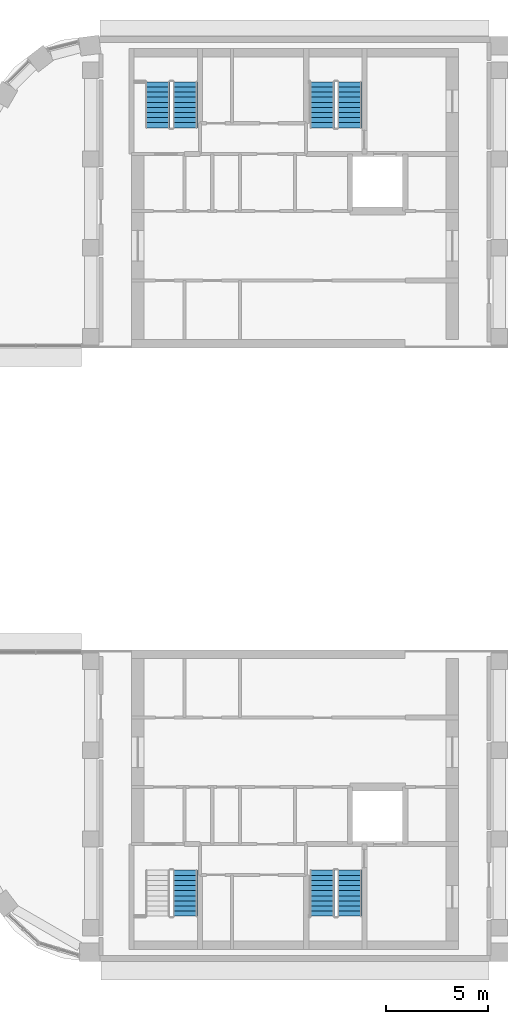
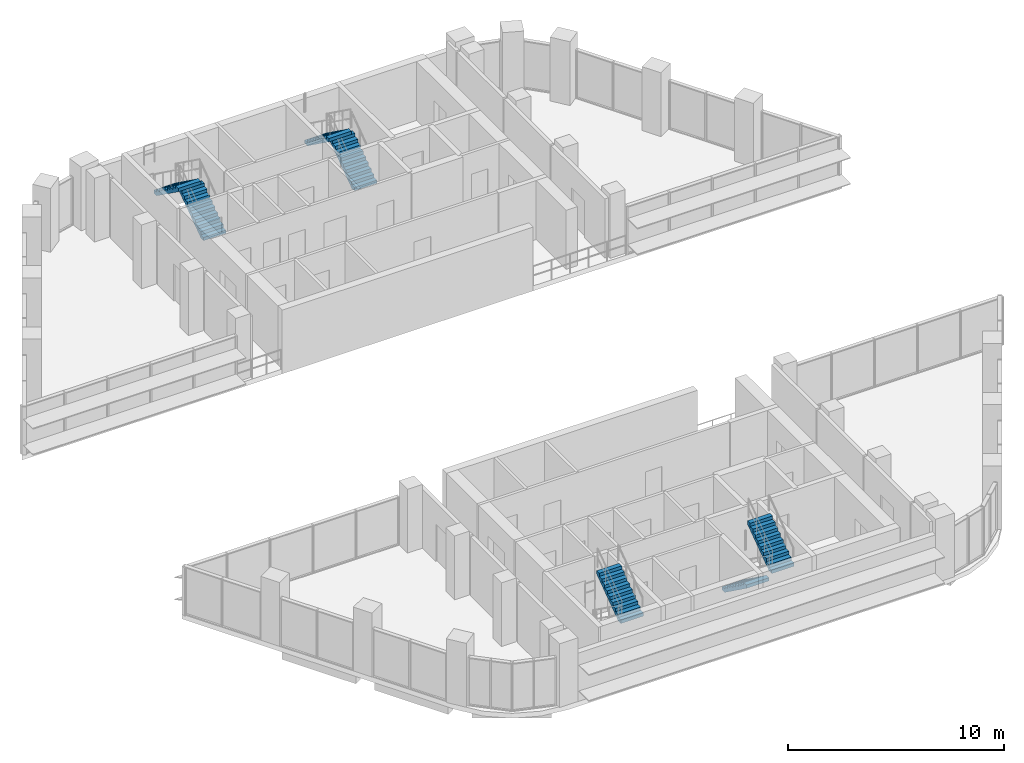
# One storey, part 12 of 15: 7 stair flights, 4 elements without a shape of their own.
"""IFC4 building model written with IfcOpenShell, lengths in metres."""

from ifc_helpers import new_model, si_unit, direction, frame, origin, place, context, subcontext, project, spatial, polyline, outline, extrude, material, type_object, element, aggregate, save


model = new_model("IFC4")

# Units and contexts
model_context = context("Model", 3, precision=1e-05, world=origin(), true_north=direction((0.0, 1.0)))
body_context = subcontext(model_context, "Body", "Model", "MODEL_VIEW")
ifc_project = project(units=[si_unit("LENGTHUNIT", "METRE"), si_unit("AREAUNIT", "SQUARE_METRE"), si_unit("VOLUMEUNIT", "CUBIC_METRE"), si_unit("PLANEANGLEUNIT", "RADIAN"), si_unit("MASSUNIT", "GRAM", prefix="KILO")], contexts=[model_context])

# Site, building, storey
site_placement = place(None, origin())
site = spatial("IfcSite", under=ifc_project, at=site_placement, CompositionType="ELEMENT")
building_placement = place(site_placement, origin())
building = spatial("IfcBuilding", under=site, at=building_placement, Name="Nakaniwa Court", CompositionType="ELEMENT")
storey_placement = place(building_placement, frame((0.0, 0.0, 283.199951171875)))
storey = spatial("IfcBuildingStorey", under=building, at=storey_placement, Name="C04", CompositionType="ELEMENT", Elevation=283.199951171875)

# Stair, stair flights
ifc_material = material(Name="Concrete C80/100", Category="concrete")
stair_type = type_object("IfcStairType", Name="Dog leg stair 1200 wide 20 risers", PredefinedType="HALF_TURN_STAIR", material=ifc_material)
stair_1_placement = place(storey_placement, origin())
stair_1 = element("IfcStair", 1, at=stair_1_placement, inside=storey, type_object=stair_type, Name="C04 Stair ST1", PredefinedType="HALF_TURN_STAIR")
stair_flight_type = type_object("IfcStairFlightType", Name="Stair flight 1200 wide 10 risers", PredefinedType="STRAIGHT", material=ifc_material)
stair_flight_1_placement = place(storey_placement, frame((74.625, 98.175048828125, 0.0), z_axis=(0.0, 0.0, 1.0), x_axis=(0.0, 1.0, 0.0)))
stair_flight_1 = element("IfcStairFlight", 2, at=stair_flight_1_placement, type_object=stair_flight_type, Name="ST1 flight 1", NumberOfRisers=10, NumberOfTreads=9, PredefinedType="STRAIGHT", RiserHeight=0.18, TreadLength=0.25, context=body_context, shape_type="SweptSolid", body=[
    extrude(outline(polyline([(0.0, 0.0), (0.0, 0.025634765625), (0.0, 0.051513671875), (0.0, 0.0771484375), (0.0, 0.102783203125), (0.0, 0.128662109375), (0.0, 0.154296875), (0.0, 0.179931640625), (0.25, 0.179931640625), (0.25, 0.360107421875), (0.5, 0.360107421875), (0.5, 0.5400390625), (0.75, 0.5400390625), (0.75, 0.719970703125), (1.0, 0.719970703125), (1.0, 0.89990234375), (1.25, 0.89990234375), (1.25, 1.080078125), (1.5, 1.080078125), (1.5, 1.260009765625), (1.75, 1.260009765625), (1.75, 1.43994140625), (2.0, 1.43994140625), (2.0, 1.6201171875), (2.25, 1.6201171875), (2.25, 1.800048828125), (2.25, 1.747802734375), (2.25, 1.69580078125), (2.25, 1.643798828125), (2.25, 1.591552734375), (2.25, 1.53955078125), (2.25, 1.4873046875), (2.25, 1.435302734375), (0.256591796875, 0.0), (0.0, 0.0)])), frame((0.0, 0.60009765625, 0.0), z_axis=(0.0, -1.0, 0.0), x_axis=(1.0, 0.0, 0.0)), (0.0, 0.0, 1.0), 1.199951171875),
])
stair_flight_2_placement = place(storey_placement, frame((73.27490234375, 100.425048828125, 1.800048828125), z_axis=(0.0, 0.0, 1.0), x_axis=(0.0, -1.0, 0.0)))
stair_flight_2 = element("IfcStairFlight", 3, at=stair_flight_2_placement, type_object=stair_flight_type, Name="ST1 flight 2", NumberOfRisers=10, NumberOfTreads=9, PredefinedType="STRAIGHT", RiserHeight=0.18, TreadLength=0.25, context=body_context, shape_type="SweptSolid", body=[
    extrude(outline(polyline([(0.0, 0.0), (0.0, 0.025634765625), (0.0, 0.051513671875), (0.0, 0.0771484375), (0.0, 0.102783203125), (0.0, 0.128662109375), (0.0, 0.154296875), (0.0, 0.179931640625), (0.25, 0.179931640625), (0.25, 0.360107421875), (0.5, 0.360107421875), (0.5, 0.5400390625), (0.75, 0.5400390625), (0.75, 0.719970703125), (1.0, 0.719970703125), (1.0, 0.89990234375), (1.25, 0.89990234375), (1.25, 1.080078125), (1.5, 1.080078125), (1.5, 1.260009765625), (1.75, 1.260009765625), (1.75, 1.43994140625), (2.0, 1.43994140625), (2.0, 1.6201171875), (2.25, 1.6201171875), (2.25, 1.800048828125), (2.25, 1.747802734375), (2.25, 1.69580078125), (2.25, 1.643798828125), (2.25, 1.591552734375), (2.25, 1.53955078125), (2.25, 1.4873046875), (2.25, 1.435302734375), (0.256591796875, 0.0), (0.0, 0.0)])), frame((0.0, 0.60009765625, 0.0), z_axis=(0.0, -1.0, 0.0), x_axis=(1.0, 0.0, 0.0)), (0.0, 0.0, 1.0), 1.199951171875),
])
aggregate(stair_1, [stair_flight_1, stair_flight_2])

stair_2_placement = place(storey_placement, origin())
stair_2 = element("IfcStair", 4, at=stair_2_placement, inside=storey, type_object=stair_type, Name="C04 Stair ST2", PredefinedType="HALF_TURN_STAIR")
stair_flight_3_placement = place(storey_placement, frame((82.675048828125, 98.175048828125, 0.0), z_axis=(0.0, 0.0, 1.0), x_axis=(0.0, 1.0, 0.0)))
stair_flight_3 = element("IfcStairFlight", 5, at=stair_flight_3_placement, type_object=stair_flight_type, Name="ST2 flight 1", NumberOfRisers=10, NumberOfTreads=9, PredefinedType="STRAIGHT", RiserHeight=0.18, TreadLength=0.25, context=body_context, shape_type="SweptSolid", body=[
    extrude(outline(polyline([(0.0, 0.0), (0.0, 0.025634765625), (0.0, 0.051513671875), (0.0, 0.0771484375), (0.0, 0.102783203125), (0.0, 0.128662109375), (0.0, 0.154296875), (0.0, 0.179931640625), (0.25, 0.179931640625), (0.25, 0.360107421875), (0.5, 0.360107421875), (0.5, 0.5400390625), (0.75, 0.5400390625), (0.75, 0.719970703125), (1.0, 0.719970703125), (1.0, 0.89990234375), (1.25, 0.89990234375), (1.25, 1.080078125), (1.5, 1.080078125), (1.5, 1.260009765625), (1.75, 1.260009765625), (1.75, 1.43994140625), (2.0, 1.43994140625), (2.0, 1.6201171875), (2.25, 1.6201171875), (2.25, 1.800048828125), (2.25, 1.747802734375), (2.25, 1.69580078125), (2.25, 1.643798828125), (2.25, 1.591552734375), (2.25, 1.53955078125), (2.25, 1.4873046875), (2.25, 1.435302734375), (0.256591796875, 0.0), (0.0, 0.0)])), frame((0.0, 0.60009765625, 0.0), z_axis=(0.0, -1.0, 0.0), x_axis=(1.0, 0.0, 0.0)), (0.0, 0.0, 1.0), 1.199951171875),
])
stair_flight_4_placement = place(storey_placement, frame((81.324951171875, 100.425048828125, 1.800048828125), z_axis=(0.0, 0.0, 1.0), x_axis=(0.0, -1.0, 0.0)))
stair_flight_4 = element("IfcStairFlight", 6, at=stair_flight_4_placement, type_object=stair_flight_type, Name="ST2 flight 2", NumberOfRisers=10, NumberOfTreads=9, PredefinedType="STRAIGHT", RiserHeight=0.18, TreadLength=0.25, context=body_context, shape_type="SweptSolid", body=[
    extrude(outline(polyline([(0.0, 0.0), (0.0, 0.025634765625), (0.0, 0.051513671875), (0.0, 0.0771484375), (0.0, 0.102783203125), (0.0, 0.128662109375), (0.0, 0.154296875), (0.0, 0.179931640625), (0.25, 0.179931640625), (0.25, 0.360107421875), (0.5, 0.360107421875), (0.5, 0.5400390625), (0.75, 0.5400390625), (0.75, 0.719970703125), (1.0, 0.719970703125), (1.0, 0.89990234375), (1.25, 0.89990234375), (1.25, 1.080078125), (1.5, 1.080078125), (1.5, 1.260009765625), (1.75, 1.260009765625), (1.75, 1.43994140625), (2.0, 1.43994140625), (2.0, 1.6201171875), (2.25, 1.6201171875), (2.25, 1.800048828125), (2.25, 1.747802734375), (2.25, 1.69580078125), (2.25, 1.643798828125), (2.25, 1.591552734375), (2.25, 1.53955078125), (2.25, 1.4873046875), (2.25, 1.435302734375), (0.256591796875, 0.0), (0.0, 0.0)])), frame((0.0, 0.60009765625, 0.0), z_axis=(0.0, -1.0, 0.0), x_axis=(1.0, 0.0, 0.0)), (0.0, 0.0, 1.0), 1.199951171875),
])
aggregate(stair_2, [stair_flight_3, stair_flight_4])

# Stair, stair flight
stair_3_placement = place(storey_placement, origin())
stair_3 = element("IfcStair", 7, at=stair_3_placement, inside=storey, type_object=stair_type, Name="C04 Stair ST3", PredefinedType="HALF_TURN_STAIR")
stair_flight_5_placement = place(storey_placement, frame((74.625, 59.574951171875, 1.800048828125), z_axis=(0.0, 0.0, 1.0), x_axis=(0.0, 1.0, 0.0)))
stair_flight_5 = element("IfcStairFlight", 8, at=stair_flight_5_placement, type_object=stair_flight_type, Name="ST3 flight 2", NumberOfRisers=10, NumberOfTreads=9, PredefinedType="STRAIGHT", RiserHeight=0.18, TreadLength=0.25, context=body_context, shape_type="SweptSolid", body=[
    extrude(outline(polyline([(0.0, 0.0), (0.0, 0.025634765625), (0.0, 0.051513671875), (0.0, 0.0771484375), (0.0, 0.102783203125), (0.0, 0.128662109375), (0.0, 0.154296875), (0.0, 0.179931640625), (0.25, 0.179931640625), (0.25, 0.360107421875), (0.5, 0.360107421875), (0.5, 0.5400390625), (0.75, 0.5400390625), (0.75, 0.719970703125), (1.0, 0.719970703125), (1.0, 0.89990234375), (1.25, 0.89990234375), (1.25, 1.080078125), (1.5, 1.080078125), (1.5, 1.260009765625), (1.75, 1.260009765625), (1.75, 1.43994140625), (2.0, 1.43994140625), (2.0, 1.6201171875), (2.25, 1.6201171875), (2.25, 1.800048828125), (2.25, 1.747802734375), (2.25, 1.69580078125), (2.25, 1.643798828125), (2.25, 1.591552734375), (2.25, 1.53955078125), (2.25, 1.4873046875), (2.25, 1.435302734375), (0.256591796875, 0.0), (0.0, 0.0)])), frame((0.0, 0.60009765625, 0.0), z_axis=(0.0, -1.0, 0.0), x_axis=(1.0, 0.0, 0.0)), (0.0, 0.0, 1.0), 1.199951171875),
])
aggregate(stair_3, [stair_flight_5])

# Stair, stair flights
stair_4_placement = place(storey_placement, origin())
stair_4 = element("IfcStair", 9, at=stair_4_placement, inside=storey, type_object=stair_type, Name="C04 Stair ST4", PredefinedType="HALF_TURN_STAIR")
stair_flight_6_placement = place(storey_placement, frame((81.324951171875, 61.824951171875, 0.0), z_axis=(0.0, 0.0, 1.0), x_axis=(0.0, -1.0, 0.0)))
stair_flight_6 = element("IfcStairFlight", 10, at=stair_flight_6_placement, type_object=stair_flight_type, Name="ST4 flight 1", NumberOfRisers=10, NumberOfTreads=9, PredefinedType="STRAIGHT", RiserHeight=0.18, TreadLength=0.25, context=body_context, shape_type="SweptSolid", body=[
    extrude(outline(polyline([(0.0, 0.0), (0.0, 0.025634765625), (0.0, 0.051513671875), (0.0, 0.0771484375), (0.0, 0.102783203125), (0.0, 0.128662109375), (0.0, 0.154296875), (0.0, 0.179931640625), (0.25, 0.179931640625), (0.25, 0.360107421875), (0.5, 0.360107421875), (0.5, 0.5400390625), (0.75, 0.5400390625), (0.75, 0.719970703125), (1.0, 0.719970703125), (1.0, 0.89990234375), (1.25, 0.89990234375), (1.25, 1.080078125), (1.5, 1.080078125), (1.5, 1.260009765625), (1.75, 1.260009765625), (1.75, 1.43994140625), (2.0, 1.43994140625), (2.0, 1.6201171875), (2.25, 1.6201171875), (2.25, 1.800048828125), (2.25, 1.747802734375), (2.25, 1.69580078125), (2.25, 1.643798828125), (2.25, 1.591552734375), (2.25, 1.53955078125), (2.25, 1.4873046875), (2.25, 1.435302734375), (0.256591796875, 0.0), (0.0, 0.0)])), frame((0.0, 0.60009765625, 0.0), z_axis=(0.0, -1.0, 0.0), x_axis=(1.0, 0.0, 0.0)), (0.0, 0.0, 1.0), 1.199951171875),
])
stair_flight_7_placement = place(storey_placement, frame((82.675048828125, 59.574951171875, 1.800048828125), z_axis=(0.0, 0.0, 1.0), x_axis=(0.0, 1.0, 0.0)))
stair_flight_7 = element("IfcStairFlight", 11, at=stair_flight_7_placement, type_object=stair_flight_type, Name="ST4 flight 2", NumberOfRisers=10, NumberOfTreads=9, PredefinedType="STRAIGHT", RiserHeight=0.18, TreadLength=0.25, context=body_context, shape_type="SweptSolid", body=[
    extrude(outline(polyline([(0.0, 0.0), (0.0, 0.025634765625), (0.0, 0.051513671875), (0.0, 0.0771484375), (0.0, 0.102783203125), (0.0, 0.128662109375), (0.0, 0.154296875), (0.0, 0.179931640625), (0.25, 0.179931640625), (0.25, 0.360107421875), (0.5, 0.360107421875), (0.5, 0.5400390625), (0.75, 0.5400390625), (0.75, 0.719970703125), (1.0, 0.719970703125), (1.0, 0.89990234375), (1.25, 0.89990234375), (1.25, 1.080078125), (1.5, 1.080078125), (1.5, 1.260009765625), (1.75, 1.260009765625), (1.75, 1.43994140625), (2.0, 1.43994140625), (2.0, 1.6201171875), (2.25, 1.6201171875), (2.25, 1.800048828125), (2.25, 1.747802734375), (2.25, 1.69580078125), (2.25, 1.643798828125), (2.25, 1.591552734375), (2.25, 1.53955078125), (2.25, 1.4873046875), (2.25, 1.435302734375), (0.256591796875, 0.0), (0.0, 0.0)])), frame((0.0, 0.60009765625, 0.0), z_axis=(0.0, -1.0, 0.0), x_axis=(1.0, 0.0, 0.0)), (0.0, 0.0, 1.0), 1.199951171875),
])
aggregate(stair_4, [stair_flight_6, stair_flight_7])

save(model, "model.ifc")
